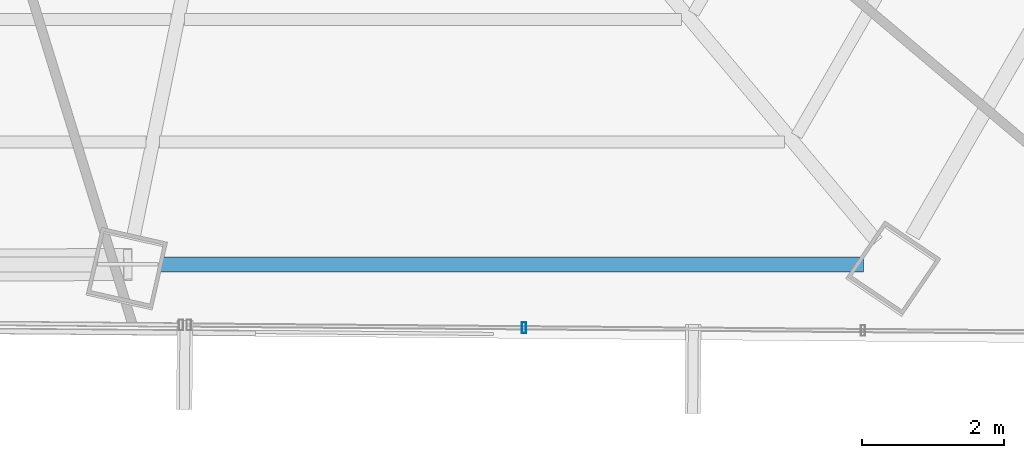
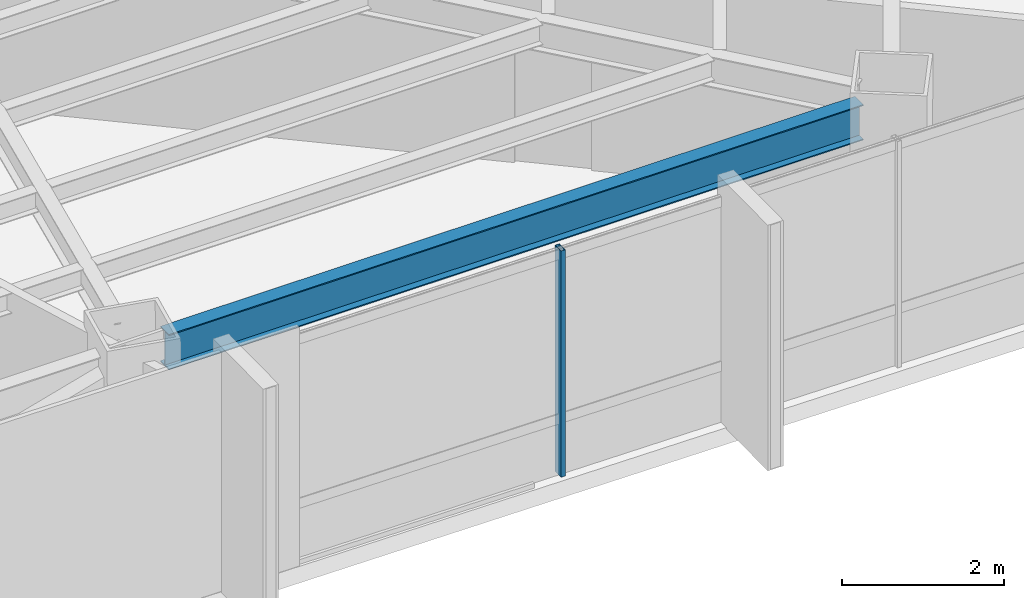
# One storey, part 17 of 39: 1 beam, 1 member, 1 element without a shape of its own.
"""IFC4 building model written with IfcOpenShell, lengths in metres."""

from ifc_helpers import new_model, si_unit, direction, frame, origin, origin_2d, place, context, subcontext, project, spatial, hollow_rectangle, i_section, extrude, source, transform, mapped, material, material_profile, profile_set, type_object, type_shapes, element, aggregate, save


model = new_model("IFC4")

# Units and contexts
model_context = context("Model", 3, precision=1e-05, world=origin(), true_north=direction((0.0, 1.0)))
body_context = subcontext(model_context, "Body", "Model", "MODEL_VIEW")
ifc_project = project(units=[si_unit("LENGTHUNIT", "METRE"), si_unit("AREAUNIT", "SQUARE_METRE"), si_unit("VOLUMEUNIT", "CUBIC_METRE"), si_unit("PLANEANGLEUNIT", "RADIAN"), si_unit("MASSUNIT", "GRAM", prefix="KILO")], contexts=[model_context])

# Site, building, storey
site_placement = place(None, origin())
site = spatial("IfcSite", under=ifc_project, at=site_placement, CompositionType="ELEMENT")
building_placement = place(site_placement, origin())
building = spatial("IfcBuilding", under=site, at=building_placement, Name="Caelisora Broadcast Tower", CompositionType="ELEMENT")
storey_placement = place(building_placement, frame((0.0, 0.0, 139.10009765625)))
storey = spatial("IfcBuildingStorey", under=building, at=storey_placement, Name="L36", CompositionType="ELEMENT", Elevation=139.10009765625)

# Beam
ifc_material_1 = material(Name="Steel Grade 350 (AS/NZS 3679.1)", Category="steel")
ifc_material_profile_1 = material_profile(ifc_material_1, i_section(OverallWidth=0.208984375, OverallDepth=0.532958984375, WebThickness=0.01025390625, FlangeThickness=0.015625, at=origin_2d()), Name="Steel Grade 350 (AS/NZS 3679.1)")
ifc_profile_set_1 = profile_set([ifc_material_profile_1], Name="Steel Grade 350 (AS/NZS 3679.1)")
beam_type = type_object("IfcBeamType", Name="PG05", PredefinedType="BEAM", material=ifc_profile_set_1)
shared_shape_1 = source(origin(), body_context, "Body", "SweptSolid", [
    extrude(i_section(OverallWidth=0.208984375, OverallDepth=0.532958984375, WebThickness=0.01025390625, FlangeThickness=0.015625, at=origin_2d()), origin(), (0.0, 0.0, 1.0), 9.86865234375),
])
type_shapes(beam_type, [shared_shape_1])
beam_placement = place(storey_placement, frame((43.8544921875, 7.080810546875, 3.13330078125), z_axis=(1.0, 0.0, 0.0), x_axis=(0.0, 1.0, 0.0)))
element("IfcBeam", 1, at=beam_placement, inside=storey, type_object=beam_type, Name="L36 beam PG05", PredefinedType="BEAM", context=body_context, shape_type="MappedRepresentation", body=[
    mapped(shared_shape_1, transform((0.0, 0.0, 0.0), scale=1.0)),
])

# Curtain wall, member
ifc_material_2 = material(Name="Unitised Aluminium and Low-E Glass Curtain Wall", Category="glass")
curtain_wall_type = type_object("IfcCurtainWallType", Name="CW-Z3", PredefinedType="NOTDEFINED", material=ifc_material_2)
curtain_wall_placement = place(storey_placement, origin())
curtain_wall = element("IfcCurtainWall", 2, at=curtain_wall_placement, inside=storey, type_object=curtain_wall_type, Name="L36 curtain wall CW-Z3", PredefinedType="NOTDEFINED")
ifc_material_3 = material(Name="Aluminium 6063-T6 Anodised Terracotta Bronze", Category="aluminium")
ifc_material_profile_2 = material_profile(ifc_material_3, hollow_rectangle(XDim=0.06005859375, YDim=0.14990234375, WallThickness=0.00341796875, at=origin_2d()), Name="Aluminium 6063-T6 Anodised Terracotta Bronze")
ifc_profile_set_2 = profile_set([ifc_material_profile_2], Name="Aluminium 6063-T6 Anodised Terracotta Bronze")
member_type = type_object("IfcMemberType", Name="CWM-03", PredefinedType="MULLION", material=ifc_profile_set_2)
shared_shape_2 = source(origin(), body_context, "Body", "SweptSolid", [
    extrude(hollow_rectangle(XDim=0.06005859375, YDim=0.14990234375, WallThickness=0.00341796875, at=origin_2d()), origin(), (0.0, 0.0, 1.0), 3.39990234375),
])
type_shapes(member_type, [shared_shape_2])
member_placement = place(storey_placement, frame((48.958740234375, 6.190673828125, 0.0), z_axis=(0.0, 0.0, 1.0), x_axis=(1.0, 0.0, 0.0)))
member = element("IfcMember", 3, at=member_placement, type_object=member_type, Name="L36-CW-B05 mullion #2", PredefinedType="MULLION", context=body_context, shape_type="MappedRepresentation", body=[
    mapped(shared_shape_2, transform((0.0, 0.0, 0.0), scale=1.0)),
])
aggregate(curtain_wall, [member])

save(model, "model.ifc")
